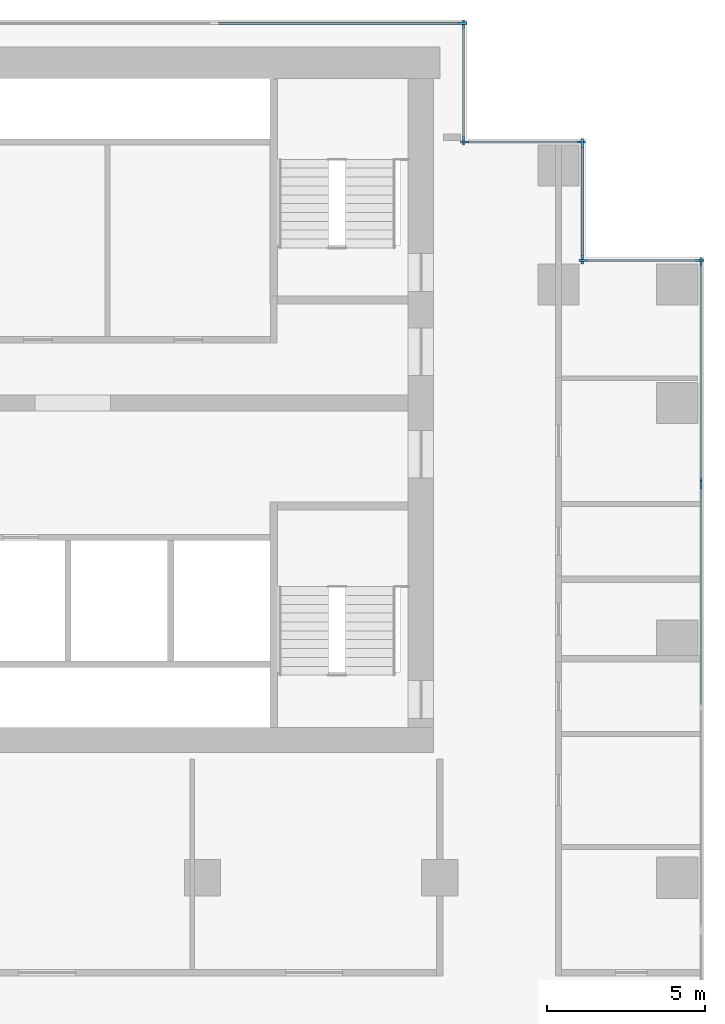
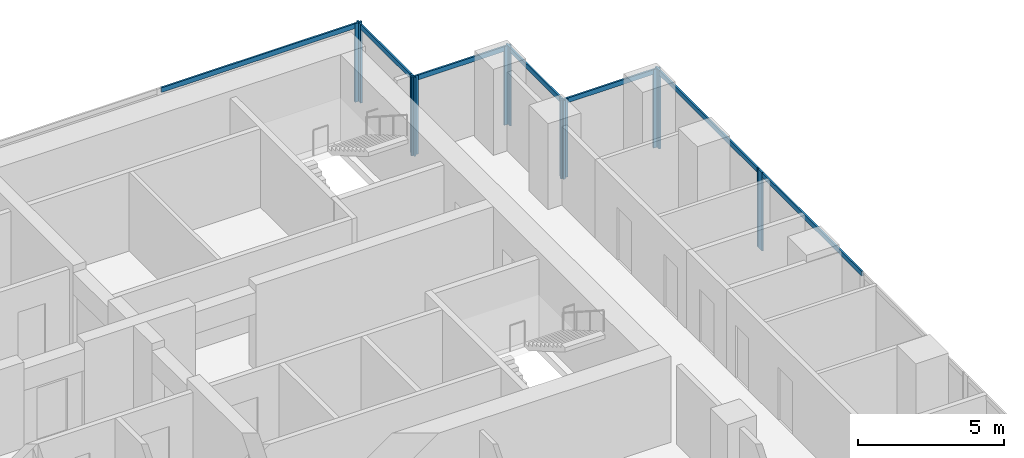
# One storey, part 5 of 10: 19 members, 7 elements without a shape of their own.
"""IFC4 building model written with IfcOpenShell, lengths in metres."""

from ifc_helpers import new_model, si_unit, direction, frame, origin, origin_2d, place, context, subcontext, project, spatial, rectangle, extrude, material, material_profile, profile_set, type_object, element, aggregate, save


model = new_model("IFC4")

# Units and contexts
model_context = context("Model", 3, precision=1e-05, world=origin(), true_north=direction((0.0, 1.0)))
body_context = subcontext(model_context, "Body", "Model", "MODEL_VIEW")
ifc_project = project(units=[si_unit("LENGTHUNIT", "METRE"), si_unit("AREAUNIT", "SQUARE_METRE"), si_unit("VOLUMEUNIT", "CUBIC_METRE"), si_unit("PLANEANGLEUNIT", "RADIAN"), si_unit("MASSUNIT", "GRAM", prefix="KILO")], contexts=[model_context])

# Site, building, storey
site_placement = place(None, origin())
site = spatial("IfcSite", under=ifc_project, at=site_placement, CompositionType="ELEMENT")
building_placement = place(site_placement, origin())
building = spatial("IfcBuilding", under=site, at=building_placement, Name="Pilkhan Gate Tower", CompositionType="ELEMENT")
storey_placement = place(building_placement, frame((0.0, 0.0, 136.0)))
storey = spatial("IfcBuildingStorey", under=building, at=storey_placement, Name="L34", CompositionType="ELEMENT", Elevation=136.0)

# Curtain wall, member
ifc_material_1 = material(Name="Pale anodised aluminium, clear low-iron double glazing", Category="aluminium")
curtain_wall_type = type_object("IfcCurtainWallType", Name="Office unitised curtain wall CW-O1", PredefinedType="USERDEFINED", material=ifc_material_1)
curtain_wall_1_placement = place(storey_placement, origin())
curtain_wall_1 = element("IfcCurtainWall", 1, at=curtain_wall_1_placement, inside=storey, type_object=curtain_wall_type, Name="Office unitised curtain wall CW-O1 L34 E", ObjectType="UNITISED CURTAIN WALL", PredefinedType="USERDEFINED")
ifc_material_2 = material(Name="Pale anodised aluminium", Category="aluminium")
ifc_material_profile_1 = material_profile(ifc_material_2, rectangle(XDim=0.070068359375, YDim=0.27490234375, at=origin_2d()), Name="Mullion 275x70")
ifc_profile_set_1 = profile_set([ifc_material_profile_1], Name="Pale anodised aluminium")
member_type_1 = type_object("IfcMemberType", Name="Mullion CW-O1 275x70", PredefinedType="MULLION", material=ifc_profile_set_1)
member_1_placement = place(storey_placement, frame((98.25, 79.9150390625, 0.0), z_axis=(0.0, 0.0, 1.0), x_axis=(-1.0, 0.0, 0.0)))
member_1 = element("IfcMember", 2, at=member_1_placement, type_object=member_type_1, Name="CW-O1 mullion 3", PredefinedType="MULLION", context=body_context, shape_type="SweptSolid", body=[
    extrude(rectangle(XDim=0.070068359375, YDim=0.27490234375, at=origin_2d()), origin(), (0.0, 0.0, 1.0), 3.300048828125),
])

# Curtain wall, members
curtain_wall_2_placement = place(storey_placement, origin())
curtain_wall_2 = element("IfcCurtainWall", 3, at=curtain_wall_2_placement, inside=storey, type_object=curtain_wall_type, Name="Office unitised curtain wall CW-O1 L34 E", ObjectType="UNITISED CURTAIN WALL", PredefinedType="USERDEFINED")
member_2_placement = place(storey_placement, frame((98.25, 79.985107421875, 0.0), z_axis=(0.0, 0.0, 1.0), x_axis=(-1.0, 0.0, 0.0)))
member_2 = element("IfcMember", 4, at=member_2_placement, type_object=member_type_1, Name="CW-O1 mullion 1", PredefinedType="MULLION", context=body_context, shape_type="SweptSolid", body=[
    extrude(rectangle(XDim=0.070068359375, YDim=0.27490234375, at=origin_2d()), origin(), (0.0, 0.0, 1.0), 3.300048828125),
])
member_3_placement = place(storey_placement, frame((98.25, 86.965087890625, 0.0), z_axis=(0.0, 0.0, 1.0), x_axis=(-1.0, 0.0, 0.0)))
member_3 = element("IfcMember", 5, at=member_3_placement, type_object=member_type_1, Name="CW-O1 mullion 2", PredefinedType="MULLION", context=body_context, shape_type="SweptSolid", body=[
    extrude(rectangle(XDim=0.070068359375, YDim=0.27490234375, at=origin_2d()), origin(), (0.0, 0.0, 1.0), 3.300048828125),
])

curtain_wall_3_placement = place(storey_placement, origin())
curtain_wall_3 = element("IfcCurtainWall", 6, at=curtain_wall_3_placement, inside=storey, type_object=curtain_wall_type, Name="Office unitised curtain wall CW-O1 L34 N", ObjectType="UNITISED CURTAIN WALL", PredefinedType="USERDEFINED")
member_4_placement = place(storey_placement, frame((94.534912109375, 87.0, 0.0), z_axis=(0.0, 0.0, 1.0), x_axis=(0.0, 1.0, 0.0)))
member_4 = element("IfcMember", 7, at=member_4_placement, type_object=member_type_1, Name="CW-O1 mullion 1", PredefinedType="MULLION", context=body_context, shape_type="SweptSolid", body=[
    extrude(rectangle(XDim=0.070068359375, YDim=0.27490234375, at=origin_2d()), origin(), (0.0, 0.0, 1.0), 3.300048828125),
])
member_5_placement = place(storey_placement, frame((98.215087890625, 87.0, 0.0), z_axis=(0.0, 0.0, 1.0), x_axis=(0.0, 1.0, 0.0)))
member_5 = element("IfcMember", 8, at=member_5_placement, type_object=member_type_1, Name="CW-O1 mullion 2", PredefinedType="MULLION", context=body_context, shape_type="SweptSolid", body=[
    extrude(rectangle(XDim=0.070068359375, YDim=0.27490234375, at=origin_2d()), origin(), (0.0, 0.0, 1.0), 3.300048828125),
])

curtain_wall_4_placement = place(storey_placement, origin())
curtain_wall_4 = element("IfcCurtainWall", 9, at=curtain_wall_4_placement, inside=storey, type_object=curtain_wall_type, Name="Office unitised curtain wall CW-O1 L34 E", ObjectType="UNITISED CURTAIN WALL", PredefinedType="USERDEFINED")
member_6_placement = place(storey_placement, frame((94.5, 87.034912109375, 0.0), z_axis=(0.0, 0.0, 1.0), x_axis=(-1.0, 0.0, 0.0)))
member_6 = element("IfcMember", 10, at=member_6_placement, type_object=member_type_1, Name="CW-O1 mullion 1", PredefinedType="MULLION", context=body_context, shape_type="SweptSolid", body=[
    extrude(rectangle(XDim=0.070068359375, YDim=0.27490234375, at=origin_2d()), origin(), (0.0, 0.0, 1.0), 3.300048828125),
])
member_7_placement = place(storey_placement, frame((94.5, 90.715087890625, 0.0), z_axis=(0.0, 0.0, 1.0), x_axis=(-1.0, 0.0, 0.0)))
member_7 = element("IfcMember", 11, at=member_7_placement, type_object=member_type_1, Name="CW-O1 mullion 2", PredefinedType="MULLION", context=body_context, shape_type="SweptSolid", body=[
    extrude(rectangle(XDim=0.070068359375, YDim=0.27490234375, at=origin_2d()), origin(), (0.0, 0.0, 1.0), 3.300048828125),
])

curtain_wall_5_placement = place(storey_placement, origin())
curtain_wall_5 = element("IfcCurtainWall", 12, at=curtain_wall_5_placement, inside=storey, type_object=curtain_wall_type, Name="Office unitised curtain wall CW-O1 L34 N", ObjectType="UNITISED CURTAIN WALL", PredefinedType="USERDEFINED")
member_8_placement = place(storey_placement, frame((90.784912109375, 90.75, 0.0), z_axis=(0.0, 0.0, 1.0), x_axis=(0.0, 1.0, 0.0)))
member_8 = element("IfcMember", 13, at=member_8_placement, type_object=member_type_1, Name="CW-O1 mullion 1", PredefinedType="MULLION", context=body_context, shape_type="SweptSolid", body=[
    extrude(rectangle(XDim=0.070068359375, YDim=0.27490234375, at=origin_2d()), origin(), (0.0, 0.0, 1.0), 3.300048828125),
])
member_9_placement = place(storey_placement, frame((94.465087890625, 90.75, 0.0), z_axis=(0.0, 0.0, 1.0), x_axis=(0.0, 1.0, 0.0)))
member_9 = element("IfcMember", 14, at=member_9_placement, type_object=member_type_1, Name="CW-O1 mullion 2", PredefinedType="MULLION", context=body_context, shape_type="SweptSolid", body=[
    extrude(rectangle(XDim=0.070068359375, YDim=0.27490234375, at=origin_2d()), origin(), (0.0, 0.0, 1.0), 3.300048828125),
])

curtain_wall_6_placement = place(storey_placement, origin())
curtain_wall_6 = element("IfcCurtainWall", 15, at=curtain_wall_6_placement, inside=storey, type_object=curtain_wall_type, Name="Office unitised curtain wall CW-O1 L34 E", ObjectType="UNITISED CURTAIN WALL", PredefinedType="USERDEFINED")
member_10_placement = place(storey_placement, frame((90.75, 90.784912109375, 0.0), z_axis=(0.0, 0.0, 1.0), x_axis=(-1.0, 0.0, 0.0)))
member_10 = element("IfcMember", 16, at=member_10_placement, type_object=member_type_1, Name="CW-O1 mullion 1", PredefinedType="MULLION", context=body_context, shape_type="SweptSolid", body=[
    extrude(rectangle(XDim=0.070068359375, YDim=0.27490234375, at=origin_2d()), origin(), (0.0, 0.0, 1.0), 3.300048828125),
])
member_11_placement = place(storey_placement, frame((90.75, 94.465087890625, 0.0), z_axis=(0.0, 0.0, 1.0), x_axis=(-1.0, 0.0, 0.0)))
member_11 = element("IfcMember", 17, at=member_11_placement, type_object=member_type_1, Name="CW-O1 mullion 2", PredefinedType="MULLION", context=body_context, shape_type="SweptSolid", body=[
    extrude(rectangle(XDim=0.070068359375, YDim=0.27490234375, at=origin_2d()), origin(), (0.0, 0.0, 1.0), 3.300048828125),
])

# Curtain wall, member
curtain_wall_7_placement = place(storey_placement, origin())
curtain_wall_7 = element("IfcCurtainWall", 18, at=curtain_wall_7_placement, inside=storey, type_object=curtain_wall_type, Name="Office unitised curtain wall CW-O1 L34 N", ObjectType="UNITISED CURTAIN WALL", PredefinedType="USERDEFINED")
member_12_placement = place(storey_placement, frame((90.715087890625, 94.5, 0.0), z_axis=(0.0, 0.0, 1.0), x_axis=(0.0, 1.0, 0.0)))
member_12 = element("IfcMember", 19, at=member_12_placement, type_object=member_type_1, Name="CW-O1 mullion 3", PredefinedType="MULLION", context=body_context, shape_type="SweptSolid", body=[
    extrude(rectangle(XDim=0.070068359375, YDim=0.27490234375, at=origin_2d()), origin(), (0.0, 0.0, 1.0), 3.300048828125),
])

# Member
ifc_material_profile_2 = material_profile(ifc_material_2, rectangle(XDim=0.070068359375, YDim=0.199951171875, at=origin_2d()), Name="Transom 200x70")
ifc_profile_set_2 = profile_set([ifc_material_profile_2], Name="Pale anodised aluminium")
member_type_2 = type_object("IfcMemberType", Name="Transom CW-O1 200x70", PredefinedType="USERDEFINED", material=ifc_profile_set_2)
member_13_placement = place(storey_placement, frame((98.25, 72.93505859375, 3.199951171875), z_axis=(0.0, 1.0, 0.0), x_axis=(-1.0, 0.0, 0.0)))
member_13 = element("IfcMember", 20, at=member_13_placement, type_object=member_type_2, Name="CW-O1 transom 2", ObjectType="TRANSOM", PredefinedType="USERDEFINED", context=body_context, shape_type="SweptSolid", body=[
    extrude(rectangle(XDim=0.070068359375, YDim=0.199951171875, at=origin_2d()), origin(), (0.0, 0.0, 1.0), 6.94482421875),
])

aggregate(curtain_wall_1, [member_1, member_13])

member_14_placement = place(storey_placement, frame((98.25, 80.02001953125, 3.199951171875), z_axis=(0.0, 1.0, 0.0), x_axis=(-1.0, 0.0, 0.0)))
member_14 = element("IfcMember", 21, at=member_14_placement, type_object=member_type_2, Name="CW-O1 transom 1", ObjectType="TRANSOM", PredefinedType="USERDEFINED", context=body_context, shape_type="SweptSolid", body=[
    extrude(rectangle(XDim=0.070068359375, YDim=0.199951171875, at=origin_2d()), origin(), (0.0, 0.0, 1.0), 6.909912109375),
])

aggregate(curtain_wall_2, [member_2, member_3, member_14])

member_15_placement = place(storey_placement, frame((94.570068359375, 87.0, 3.199951171875), z_axis=(1.0, 0.0, 0.0), x_axis=(0.0, 1.0, 0.0)))
member_15 = element("IfcMember", 22, at=member_15_placement, type_object=member_type_2, Name="CW-O1 transom 1", ObjectType="TRANSOM", PredefinedType="USERDEFINED", context=body_context, shape_type="SweptSolid", body=[
    extrude(rectangle(XDim=0.070068359375, YDim=0.199951171875, at=origin_2d()), origin(), (0.0, 0.0, 1.0), 3.60986328125),
])

aggregate(curtain_wall_3, [member_4, member_5, member_15])

member_16_placement = place(storey_placement, frame((94.5, 87.070068359375, 3.199951171875), z_axis=(0.0, 1.0, 0.0), x_axis=(-1.0, 0.0, 0.0)))
member_16 = element("IfcMember", 23, at=member_16_placement, type_object=member_type_2, Name="CW-O1 transom 1", ObjectType="TRANSOM", PredefinedType="USERDEFINED", context=body_context, shape_type="SweptSolid", body=[
    extrude(rectangle(XDim=0.070068359375, YDim=0.199951171875, at=origin_2d()), origin(), (0.0, 0.0, 1.0), 3.60986328125),
])

aggregate(curtain_wall_4, [member_6, member_7, member_16])

member_17_placement = place(storey_placement, frame((90.820068359375, 90.75, 3.199951171875), z_axis=(1.0, 0.0, 0.0), x_axis=(0.0, 1.0, 0.0)))
member_17 = element("IfcMember", 24, at=member_17_placement, type_object=member_type_2, Name="CW-O1 transom 1", ObjectType="TRANSOM", PredefinedType="USERDEFINED", context=body_context, shape_type="SweptSolid", body=[
    extrude(rectangle(XDim=0.070068359375, YDim=0.199951171875, at=origin_2d()), origin(), (0.0, 0.0, 1.0), 3.60986328125),
])

aggregate(curtain_wall_5, [member_8, member_9, member_17])

member_18_placement = place(storey_placement, frame((90.75, 90.820068359375, 3.199951171875), z_axis=(0.0, 1.0, 0.0), x_axis=(-1.0, 0.0, 0.0)))
member_18 = element("IfcMember", 25, at=member_18_placement, type_object=member_type_2, Name="CW-O1 transom 1", ObjectType="TRANSOM", PredefinedType="USERDEFINED", context=body_context, shape_type="SweptSolid", body=[
    extrude(rectangle(XDim=0.070068359375, YDim=0.199951171875, at=origin_2d()), origin(), (0.0, 0.0, 1.0), 3.60986328125),
])

aggregate(curtain_wall_6, [member_10, member_11, member_18])

member_19_placement = place(storey_placement, frame((82.909912109375, 94.5, 3.199951171875), z_axis=(1.0, 0.0, 0.0), x_axis=(0.0, 1.0, 0.0)))
member_19 = element("IfcMember", 26, at=member_19_placement, type_object=member_type_2, Name="CW-O1 transom 2", ObjectType="TRANSOM", PredefinedType="USERDEFINED", context=body_context, shape_type="SweptSolid", body=[
    extrude(rectangle(XDim=0.070068359375, YDim=0.199951171875, at=origin_2d()), origin(), (0.0, 0.0, 1.0), 7.77001953125),
])

aggregate(curtain_wall_7, [member_12, member_19])

save(model, "model.ifc")
